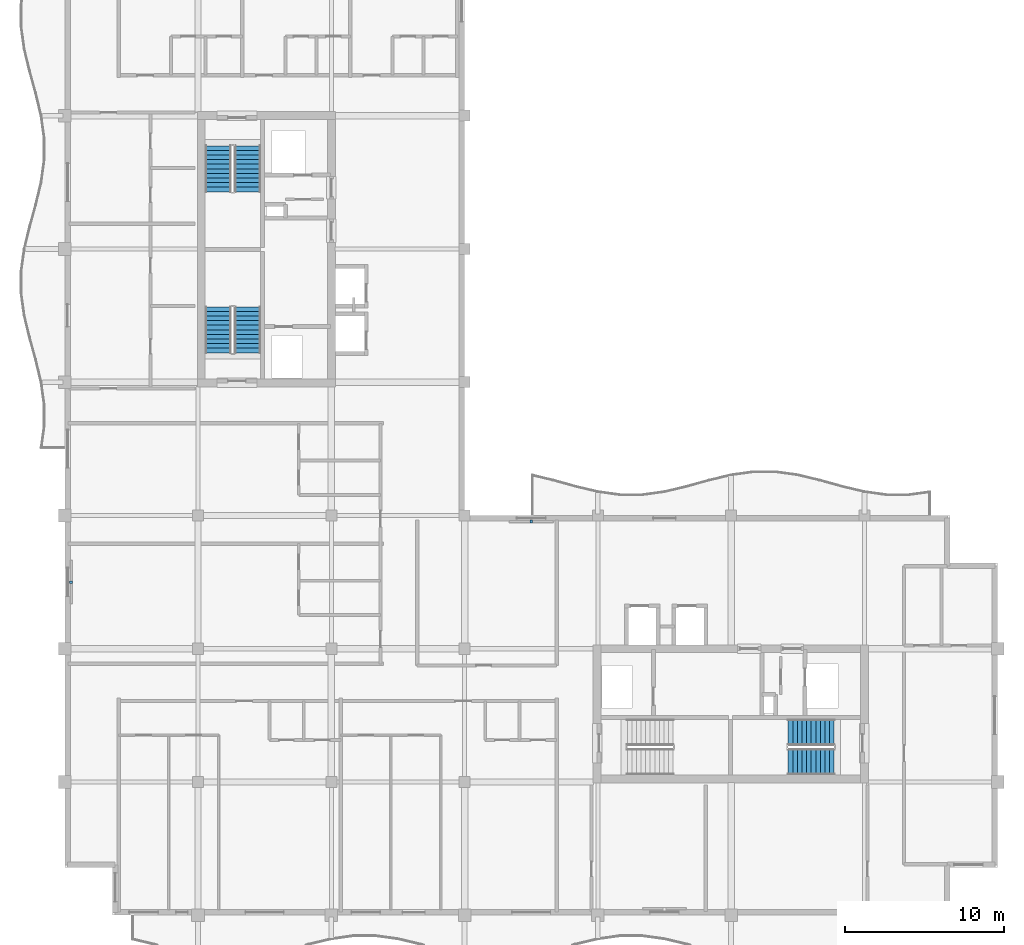
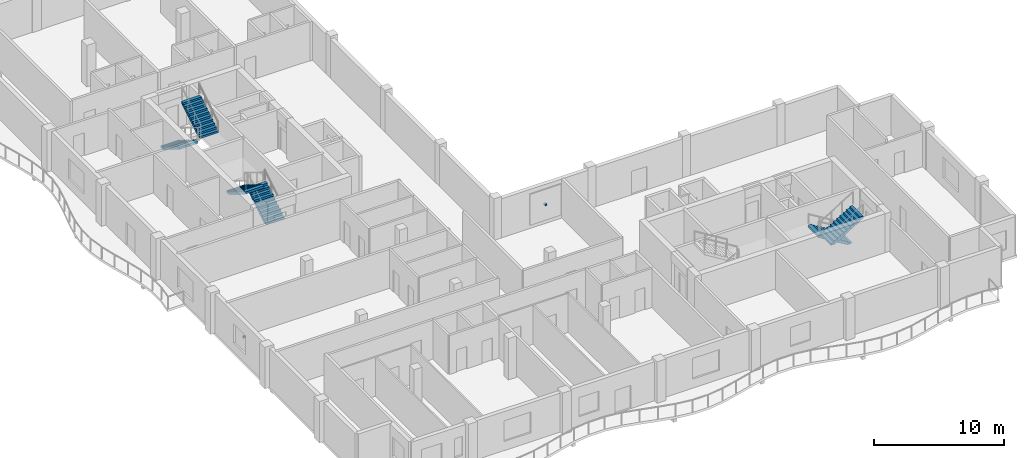
# One storey, part 8 of 12: 6 stair flights, 2 discrete accessories, 3 elements without a shape of their own.
"""IFC4 building model written with IfcOpenShell, lengths in metres."""

from ifc_helpers import new_model, si_unit, direction, frame, origin, origin_2d, place, context, subcontext, project, spatial, polyline, rectangle, outline, extrude, material, type_object, element, aggregate, save


model = new_model("IFC4")

# Units and contexts
model_context = context("Model", 3, precision=1e-05, world=origin(), true_north=direction((0.0, 1.0)))
body_context = subcontext(model_context, "Body", "Model", "MODEL_VIEW")
ifc_project = project(units=[si_unit("LENGTHUNIT", "METRE"), si_unit("AREAUNIT", "SQUARE_METRE"), si_unit("VOLUMEUNIT", "CUBIC_METRE"), si_unit("PLANEANGLEUNIT", "RADIAN"), si_unit("MASSUNIT", "GRAM", prefix="KILO")], contexts=[model_context])

# Site, building, storey
site_placement = place(None, origin())
site = spatial("IfcSite", under=ifc_project, at=site_placement, CompositionType="ELEMENT")
building_placement = place(site_placement, origin())
building = spatial("IfcBuilding", under=site, at=building_placement, Name="Koriwani Terraces Tower", CompositionType="ELEMENT")
storey_placement = place(building_placement, frame((0.0, 0.0, 328.10009765625)))
storey = spatial("IfcBuildingStorey", under=building, at=storey_placement, Name="L81", CompositionType="ELEMENT", Elevation=328.10009765625)

# Stair, stair flights
ifc_material_1 = material(Name="Concrete C40/50", Category="concrete")
stair_type = type_object("IfcStairType", Name="STAIR_CORE_DOGLEG_1650", PredefinedType="TWO_STRAIGHT_RUN_STAIR", material=ifc_material_1)
stair_1_placement = place(storey_placement, origin())
stair_1 = element("IfcStair", 1, at=stair_1_placement, inside=storey, type_object=stair_type, Name="L81 West Core Exit Stair 1", PredefinedType="HALF_TURN_STAIR")
stair_flight_type = type_object("IfcStairFlightType", Name="STAIR_FLIGHT_RC_1650", PredefinedType="STRAIGHT", material=ifc_material_1)
stair_flight_1_placement = place(storey_placement, frame((19.925048828125, 43.85009765625, 0.0), z_axis=(0.0, 0.0, 1.0), x_axis=(0.0, 1.0, 0.0)))
stair_flight_1 = element("IfcStairFlight", 2, at=stair_flight_1_placement, type_object=stair_flight_type, Name="ST-W1 flight 1", NumberOfRisers=11, NumberOfTreads=10, PredefinedType="STRAIGHT", RiserHeight=0.177272727, TreadLength=0.29, context=body_context, shape_type="SweptSolid", body=[
    extrude(outline(polyline([(0.0, 0.0), (0.0, 0.17724609375), (0.2900390625, 0.17724609375), (0.2900390625, 0.3544921875), (0.580078125, 0.3544921875), (0.580078125, 0.53173828125), (0.8701171875, 0.53173828125), (0.8701171875, 0.708984375), (1.159912109375, 0.708984375), (1.159912109375, 0.886474609375), (1.449951171875, 0.886474609375), (1.449951171875, 1.063720703125), (1.739990234375, 1.063720703125), (1.739990234375, 1.240966796875), (2.030029296875, 1.240966796875), (2.030029296875, 1.418212890625), (2.320068359375, 1.418212890625), (2.320068359375, 1.595458984375), (2.610107421875, 1.595458984375), (2.610107421875, 1.772705078125), (2.89990234375, 1.772705078125), (2.89990234375, 1.949951171875), (2.89990234375, 1.561767578125), (0.344970703125, 0.0), (0.0, 0.0)])), frame((0.0, 0.824951171875, 0.0), z_axis=(0.0, -1.0, 0.0), x_axis=(1.0, 0.0, 0.0)), (0.0, 0.0, 1.0), 1.64990234375),
])
stair_flight_2_placement = place(storey_placement, frame((18.074951171875, 46.75, 1.949951171875), z_axis=(0.0, 0.0, 1.0), x_axis=(0.0, -1.0, 0.0)))
stair_flight_2 = element("IfcStairFlight", 3, at=stair_flight_2_placement, type_object=stair_flight_type, Name="ST-W1 flight 2", NumberOfRisers=11, NumberOfTreads=10, PredefinedType="STRAIGHT", RiserHeight=0.177272727, TreadLength=0.29, context=body_context, shape_type="SweptSolid", body=[
    extrude(outline(polyline([(0.0, 0.0), (0.0, 0.17724609375), (0.2900390625, 0.17724609375), (0.2900390625, 0.3544921875), (0.580078125, 0.3544921875), (0.580078125, 0.53173828125), (0.8701171875, 0.53173828125), (0.8701171875, 0.708984375), (1.159912109375, 0.708984375), (1.159912109375, 0.886474609375), (1.449951171875, 0.886474609375), (1.449951171875, 1.063720703125), (1.739990234375, 1.063720703125), (1.739990234375, 1.240966796875), (2.030029296875, 1.240966796875), (2.030029296875, 1.418212890625), (2.320068359375, 1.418212890625), (2.320068359375, 1.595458984375), (2.610107421875, 1.595458984375), (2.610107421875, 1.772705078125), (2.89990234375, 1.772705078125), (2.89990234375, 1.949951171875), (2.89990234375, 1.561767578125), (0.344970703125, 0.0), (0.0, 0.0)])), frame((0.0, 0.824951171875, 0.0), z_axis=(0.0, -1.0, 0.0), x_axis=(1.0, 0.0, 0.0)), (0.0, 0.0, 1.0), 1.64990234375),
])
aggregate(stair_1, [stair_flight_1, stair_flight_2])

stair_2_placement = place(storey_placement, origin())
stair_2 = element("IfcStair", 4, at=stair_2_placement, inside=storey, type_object=stair_type, Name="L81 West Core Exit Stair 2", PredefinedType="HALF_TURN_STAIR")
stair_flight_3_placement = place(storey_placement, frame((18.074951171875, 56.89990234375, 0.0), z_axis=(0.0, 0.0, 1.0), x_axis=(0.0, -1.0, 0.0)))
stair_flight_3 = element("IfcStairFlight", 5, at=stair_flight_3_placement, type_object=stair_flight_type, Name="ST-W2 flight 1", NumberOfRisers=11, NumberOfTreads=10, PredefinedType="STRAIGHT", RiserHeight=0.177272727, TreadLength=0.29, context=body_context, shape_type="SweptSolid", body=[
    extrude(outline(polyline([(0.0, 0.0), (0.0, 0.17724609375), (0.2900390625, 0.17724609375), (0.2900390625, 0.3544921875), (0.580078125, 0.3544921875), (0.580078125, 0.53173828125), (0.8701171875, 0.53173828125), (0.8701171875, 0.708984375), (1.159912109375, 0.708984375), (1.159912109375, 0.886474609375), (1.449951171875, 0.886474609375), (1.449951171875, 1.063720703125), (1.739990234375, 1.063720703125), (1.739990234375, 1.240966796875), (2.030029296875, 1.240966796875), (2.030029296875, 1.418212890625), (2.320068359375, 1.418212890625), (2.320068359375, 1.595458984375), (2.610107421875, 1.595458984375), (2.610107421875, 1.772705078125), (2.89990234375, 1.772705078125), (2.89990234375, 1.949951171875), (2.89990234375, 1.561767578125), (0.344970703125, 0.0), (0.0, 0.0)])), frame((0.0, 0.824951171875, 0.0), z_axis=(0.0, -1.0, 0.0), x_axis=(1.0, 0.0, 0.0)), (0.0, 0.0, 1.0), 1.64990234375),
])
stair_flight_4_placement = place(storey_placement, frame((19.925048828125, 54.0, 1.949951171875), z_axis=(0.0, 0.0, 1.0), x_axis=(0.0, 1.0, 0.0)))
stair_flight_4 = element("IfcStairFlight", 6, at=stair_flight_4_placement, type_object=stair_flight_type, Name="ST-W2 flight 2", NumberOfRisers=11, NumberOfTreads=10, PredefinedType="STRAIGHT", RiserHeight=0.177272727, TreadLength=0.29, context=body_context, shape_type="SweptSolid", body=[
    extrude(outline(polyline([(0.0, 0.0), (0.0, 0.17724609375), (0.2900390625, 0.17724609375), (0.2900390625, 0.3544921875), (0.580078125, 0.3544921875), (0.580078125, 0.53173828125), (0.8701171875, 0.53173828125), (0.8701171875, 0.708984375), (1.159912109375, 0.708984375), (1.159912109375, 0.886474609375), (1.449951171875, 0.886474609375), (1.449951171875, 1.063720703125), (1.739990234375, 1.063720703125), (1.739990234375, 1.240966796875), (2.030029296875, 1.240966796875), (2.030029296875, 1.418212890625), (2.320068359375, 1.418212890625), (2.320068359375, 1.595458984375), (2.610107421875, 1.595458984375), (2.610107421875, 1.772705078125), (2.89990234375, 1.772705078125), (2.89990234375, 1.949951171875), (2.89990234375, 1.561767578125), (0.344970703125, 0.0), (0.0, 0.0)])), frame((0.0, 0.824951171875, 0.0), z_axis=(0.0, -1.0, 0.0), x_axis=(1.0, 0.0, 0.0)), (0.0, 0.0, 1.0), 1.64990234375),
])
aggregate(stair_2, [stair_flight_3, stair_flight_4])

stair_3_placement = place(storey_placement, origin())
stair_3 = element("IfcStair", 7, at=stair_3_placement, inside=storey, type_object=stair_type, Name="L81 East Core Exit Stair 2", PredefinedType="HALF_TURN_STAIR")
stair_flight_5_placement = place(storey_placement, frame((56.89990234375, 19.925048828125, 0.0), z_axis=(0.0, 0.0, 1.0), x_axis=(-1.0, 0.0, 0.0)))
stair_flight_5 = element("IfcStairFlight", 8, at=stair_flight_5_placement, type_object=stair_flight_type, Name="ST-E2 flight 1", NumberOfRisers=11, NumberOfTreads=10, PredefinedType="STRAIGHT", RiserHeight=0.177272727, TreadLength=0.29, context=body_context, shape_type="SweptSolid", body=[
    extrude(outline(polyline([(0.0, 0.0), (0.0, 0.17724609375), (0.2900390625, 0.17724609375), (0.2900390625, 0.3544921875), (0.580078125, 0.3544921875), (0.580078125, 0.53173828125), (0.8701171875, 0.53173828125), (0.8701171875, 0.708984375), (1.159912109375, 0.708984375), (1.159912109375, 0.886474609375), (1.449951171875, 0.886474609375), (1.449951171875, 1.063720703125), (1.739990234375, 1.063720703125), (1.739990234375, 1.240966796875), (2.030029296875, 1.240966796875), (2.030029296875, 1.418212890625), (2.320068359375, 1.418212890625), (2.320068359375, 1.595458984375), (2.610107421875, 1.595458984375), (2.610107421875, 1.772705078125), (2.89990234375, 1.772705078125), (2.89990234375, 1.949951171875), (2.89990234375, 1.561767578125), (0.344970703125, 0.0), (0.0, 0.0)])), frame((0.0, 0.824951171875, 0.0), z_axis=(0.0, -1.0, 0.0), x_axis=(1.0, 0.0, 0.0)), (0.0, 0.0, 1.0), 1.64990234375),
])
stair_flight_6_placement = place(storey_placement, frame((54.0, 18.074951171875, 1.949951171875), z_axis=(0.0, 0.0, 1.0), x_axis=(1.0, 0.0, 0.0)))
stair_flight_6 = element("IfcStairFlight", 9, at=stair_flight_6_placement, type_object=stair_flight_type, Name="ST-E2 flight 2", NumberOfRisers=11, NumberOfTreads=10, PredefinedType="STRAIGHT", RiserHeight=0.177272727, TreadLength=0.29, context=body_context, shape_type="SweptSolid", body=[
    extrude(outline(polyline([(0.0, 0.0), (0.0, 0.17724609375), (0.2900390625, 0.17724609375), (0.2900390625, 0.3544921875), (0.580078125, 0.3544921875), (0.580078125, 0.53173828125), (0.8701171875, 0.53173828125), (0.8701171875, 0.708984375), (1.159912109375, 0.708984375), (1.159912109375, 0.886474609375), (1.449951171875, 0.886474609375), (1.449951171875, 1.063720703125), (1.739990234375, 1.063720703125), (1.739990234375, 1.240966796875), (2.030029296875, 1.240966796875), (2.030029296875, 1.418212890625), (2.320068359375, 1.418212890625), (2.320068359375, 1.595458984375), (2.610107421875, 1.595458984375), (2.610107421875, 1.772705078125), (2.89990234375, 1.772705078125), (2.89990234375, 1.949951171875), (2.89990234375, 1.561767578125), (0.344970703125, 0.0), (0.0, 0.0)])), frame((0.0, 0.824951171875, 0.0), z_axis=(0.0, -1.0, 0.0), x_axis=(1.0, 0.0, 0.0)), (0.0, 0.0, 1.0), 1.64990234375),
])
aggregate(stair_3, [stair_flight_5, stair_flight_6])

# Discrete accessories
ifc_material_2 = material(Name="Steel ASTM A572 Grade 50", Category="steel")
discrete_accessory_type = type_object("IfcDiscreteAccessoryType", Name="BAGUETTE_STANDOFF_BRACKET", PredefinedType="BRACKET", material=ifc_material_2)
for number, where, z_axis, x_axis, name in (
    (10, (8.7900390625, 29.39990234375, 1.7451171875), (0.0, 0.0, 1.0), (0.0, 1.0, 0.0), "L81 Terracotta Baguette Bracket (W-6)"),
    (11, (37.800048828125, 33.2099609375, 1.7451171875), (0.0, 0.0, 1.0), (1.0, 0.0, 0.0), "L81 Terracotta Baguette Bracket (NE-2)"),
):
    element("IfcDiscreteAccessory", number, at=place(storey_placement, frame(where, z_axis=z_axis, x_axis=x_axis)), inside=storey, type_object=discrete_accessory_type, Name=name, PredefinedType="BRACKET", context=body_context, shape_type="SweptSolid", body=[
        extrude(rectangle(XDim=0.159912109375, YDim=0.199951171875, at=origin_2d()), origin(), (0.0, 0.0, 1.0), 0.179931640625),
    ])

save(model, "model.ifc")
